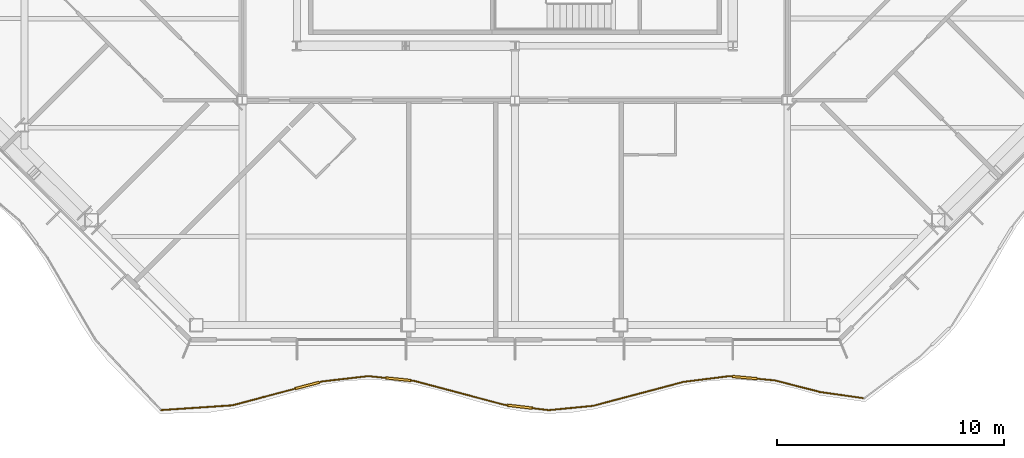
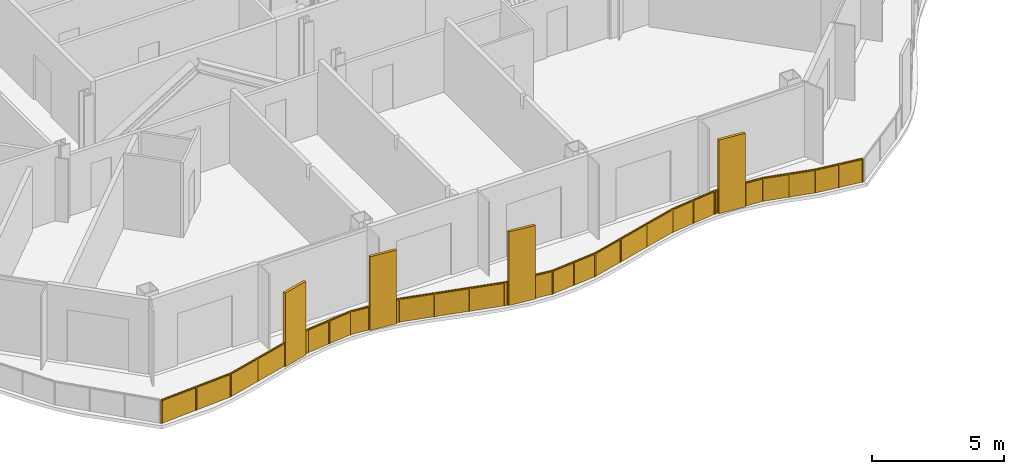
# One storey, part 16 of 21: 1 railing.
"""IFC4 building model written with IfcOpenShell, lengths in metres."""

from ifc_helpers import new_model, si_unit, direction, frame, origin, origin_2d, place, context, subcontext, project, spatial, polyline, rectangle, outline, extrude, material, type_object, element, save


model = new_model("IFC4")

# Units and contexts
model_context = context("Model", 3, precision=1e-05, world=origin(), true_north=direction((0.0, 1.0)))
body_context = subcontext(model_context, "Body", "Model", "MODEL_VIEW")
ifc_project = project(units=[si_unit("LENGTHUNIT", "METRE"), si_unit("AREAUNIT", "SQUARE_METRE"), si_unit("VOLUMEUNIT", "CUBIC_METRE"), si_unit("PLANEANGLEUNIT", "RADIAN"), si_unit("MASSUNIT", "GRAM", prefix="KILO")], contexts=[model_context])

# Site, building, storey
site_placement = place(None, origin())
site = spatial("IfcSite", under=ifc_project, at=site_placement, CompositionType="ELEMENT")
building_placement = place(site_placement, origin())
building = spatial("IfcBuilding", under=site, at=building_placement, Name="Cairn Pilgrim Tower", CompositionType="ELEMENT")
storey_placement = place(building_placement, frame((0.0, 0.0, 168.60009765625)))
storey = spatial("IfcBuildingStorey", under=building, at=storey_placement, Name="L42", CompositionType="ELEMENT", Elevation=168.60009765625)

# Railing
ifc_material = material(Name="Bronze anodised aluminium rail, posts and fin screens with laminated glass infill", Category="aluminium")
railing_type = type_object("IfcRailingType", Name="BALCONY GUARD WITH FIN SCREENS", PredefinedType="GUARDRAIL", material=ifc_material)
railing_placement = place(storey_placement, frame((-8.3818359375, -22.045654296875, 0.0)))
element("IfcRailing", 1, at=railing_placement, inside=storey, type_object=railing_type, Name="Balcony guard BGF-1 with fin screens", PredefinedType="GUARDRAIL", context=body_context, shape_type="SweptSolid", body=[
    extrude(rectangle(XDim=0.050048828125, YDim=0.050048828125, at=origin_2d()), frame((0.0, 0.0, 1.0751953125), z_axis=(0.997751083555, 0.067028167698, 0.0), x_axis=(-0.067028167698, 0.997751083555, 0.0)), (0.0, 0.0, 1.0), 3.150634765625),
    extrude(rectangle(XDim=1.10009765625, YDim=0.110107421875, at=origin_2d()), frame((6.435791015625, 1.08544921875, 0.0), z_axis=(0.0, 0.0, 1.0), x_axis=(0.966503793648, 0.256652326824, 0.0)), (0.0, 0.0, 1.0), 3.39990234375),
    extrude(rectangle(XDim=0.050048828125, YDim=0.050048828125, at=origin_2d()), frame((3.1435546875, 0.211181640625, 1.0751953125), z_axis=(0.966503793648, 0.256652326824, 0.0), x_axis=(-0.256652326824, 0.966503793648, 0.0)), (0.0, 0.0, 1.0), 2.8564453125),
    extrude(rectangle(XDim=0.050048828125, YDim=0.050048828125, at=origin_2d()), frame((6.96728515625, 1.2265625, 1.0751953125), z_axis=(0.966503793648, 0.256652326824, 0.0), x_axis=(-0.256652326824, 0.966503793648, 0.0)), (0.0, 0.0, 1.0), 0.150146484375),
    extrude(rectangle(XDim=0.050048828125, YDim=0.050048828125, at=origin_2d()), frame((7.112548828125, 1.26513671875, 1.0751953125), z_axis=(0.993470001104, 0.114093632191, 0.0), x_axis=(-0.114093632191, 0.993470001104, 0.0)), (0.0, 0.0, 1.0), 2.0263671875),
    extrude(rectangle(XDim=1.10009765625, YDim=0.110107421875, at=origin_2d()), frame((10.443603515625, 1.360107421875, 0.0), z_axis=(0.0, 0.0, 1.0), x_axis=(0.994697324396, -0.102845674874, 0.0)), (0.0, 0.0, 1.0), 3.39990234375),
    extrude(rectangle(XDim=0.050048828125, YDim=0.050048828125, at=origin_2d()), frame((9.125732421875, 1.496337890625, 1.0751953125), z_axis=(0.994697324396, -0.102845674874, 0.0), x_axis=(0.102845674874, 0.994697324396, 0.0)), (0.0, 0.0, 1.0), 0.77490234375),
    extrude(rectangle(XDim=0.050048828125, YDim=0.050048828125, at=origin_2d()), frame((10.99072265625, 1.303466796875, 1.0751953125), z_axis=(0.994697324396, -0.102845674874, 0.0), x_axis=(0.102845674874, 0.994697324396, 0.0)), (0.0, 0.0, 1.0), 0.14990234375),
    extrude(rectangle(XDim=0.050048828125, YDim=0.050048828125, at=origin_2d()), frame((11.139892578125, 1.2880859375, 1.0751953125), z_axis=(0.96653391674, -0.256538862148, 0.0), x_axis=(0.256538862148, 0.96653391674, 0.0)), (0.0, 0.0, 1.0), 4.111328125),
    extrude(rectangle(XDim=1.10009765625, YDim=0.110107421875, at=origin_2d()), frame((15.80859375, 0.149658203125, 0.0), z_axis=(0.0, 0.0, 1.0), x_axis=(0.992821718056, -0.119603662808, 0.0)), (0.0, 0.0, 1.0), 3.39990234375),
    extrude(rectangle(XDim=0.050048828125, YDim=0.050048828125, at=origin_2d()), frame((15.113525390625, 0.2333984375, 1.0751953125), z_axis=(0.992821718056, -0.119603662808, 0.0), x_axis=(0.119603662808, 0.992821718056, 0.0)), (0.0, 0.0, 1.0), 0.14990234375),
    extrude(rectangle(XDim=0.050048828125, YDim=0.050048828125, at=origin_2d()), frame((16.3544921875, 0.083984375, 1.0751953125), z_axis=(0.992821718056, -0.119603662808, 0.0), x_axis=(0.119603662808, 0.992821718056, 0.0)), (0.0, 0.0, 1.0), 0.723876953125),
    extrude(rectangle(XDim=0.050048828125, YDim=0.050048828125, at=origin_2d()), frame((17.0732421875, -0.002685546875, 1.0751953125), z_axis=(0.995278728764, 0.097057983027, 0.0), x_axis=(-0.097057983027, 0.995278728764, 0.0)), (0.0, 0.0, 1.0), 1.967041015625),
    extrude(rectangle(XDim=0.050048828125, YDim=0.050048828125, at=origin_2d()), frame((19.031005859375, 0.188232421875, 1.0751953125), z_axis=(0.96660093121, 0.256286245796, 0.0), x_axis=(-0.256286245796, 0.96660093121, 0.0)), (0.0, 0.0, 1.0), 4.107666015625),
    extrude(rectangle(XDim=0.050048828125, YDim=0.050048828125, at=origin_2d()), frame((23.00146484375, 1.240966796875, 1.0751953125), z_axis=(0.992132753517, 0.12519025281, 0.0), x_axis=(-0.12519025281, 0.992132753517, 0.0)), (0.0, 0.0, 1.0), 2.028076171875),
    extrude(rectangle(XDim=1.10009765625, YDim=0.110107421875, at=origin_2d()), frame((25.710693359375, 1.430908203125, 0.0), z_axis=(0.0, 0.0, 1.0), x_axis=(0.995828652228, -0.091243056731, 0.0)), (0.0, 0.0, 1.0), 3.39990234375),
    extrude(rectangle(XDim=0.050048828125, YDim=0.050048828125, at=origin_2d()), frame((25.013671875, 1.494873046875, 1.0751953125), z_axis=(0.995828652228, -0.091243056731, 0.0), x_axis=(0.091243056731, 0.995828652228, 0.0)), (0.0, 0.0, 1.0), 0.150146484375),
    extrude(rectangle(XDim=0.050048828125, YDim=0.050048828125, at=origin_2d()), frame((26.258544921875, 1.380859375, 1.0751953125), z_axis=(0.995828652228, -0.091243056731, 0.0), x_axis=(0.091243056731, 0.995828652228, 0.0)), (0.0, 0.0, 1.0), 0.772705078125),
    extrude(rectangle(XDim=0.050048828125, YDim=0.050048828125, at=origin_2d()), frame((27.028076171875, 1.310302734375, 1.0751953125), z_axis=(0.968635268519, -0.248486853941, 0.0), x_axis=(0.248486853941, 0.968635268519, 0.0)), (0.0, 0.0, 1.0), 2.054443359375),
    extrude(rectangle(XDim=0.050048828125, YDim=0.050048828125, at=origin_2d()), frame((29.01806640625, 0.7998046875, 1.0751953125), z_axis=(0.989952048215, -0.141403473209, 0.0), x_axis=(0.141403473209, 0.989952048215, 0.0)), (0.0, 0.0, 1.0), 1.911376953125),
    extrude(rectangle(XDim=0.050048828125, YDim=0.050048828125, at=origin_2d()), origin(), (0.0, 0.0, 1.0), 1.050048828125),
    extrude(rectangle(XDim=0.050048828125, YDim=0.050048828125, at=origin_2d()), frame((1.57177734375, 0.10546875, 0.0)), (0.0, 0.0, 1.0), 1.050048828125),
    extrude(rectangle(XDim=0.050048828125, YDim=0.050048828125, at=origin_2d()), frame((3.1435546875, 0.211181640625, 0.0)), (0.0, 0.0, 1.0), 1.050048828125),
    extrude(rectangle(XDim=0.050048828125, YDim=0.050048828125, at=origin_2d()), frame((4.51171875, 0.574462890625, 0.0)), (0.0, 0.0, 1.0), 1.050048828125),
    extrude(rectangle(XDim=0.050048828125, YDim=0.050048828125, at=origin_2d()), frame((5.880126953125, 0.937744140625, 0.0)), (0.0, 0.0, 1.0), 1.050048828125),
    extrude(rectangle(XDim=0.050048828125, YDim=0.050048828125, at=origin_2d()), frame((6.99169921875, 1.23291015625, 0.0)), (0.0, 0.0, 1.0), 1.050048828125),
    extrude(rectangle(XDim=0.050048828125, YDim=0.050048828125, at=origin_2d()), frame((7.112548828125, 1.26513671875, 0.0)), (0.0, 0.0, 1.0), 1.050048828125),
    extrude(rectangle(XDim=0.050048828125, YDim=0.050048828125, at=origin_2d()), frame((8.119140625, 1.380859375, 0.0)), (0.0, 0.0, 1.0), 1.050048828125),
    extrude(rectangle(XDim=0.050048828125, YDim=0.050048828125, at=origin_2d()), frame((9.125732421875, 1.496337890625, 0.0)), (0.0, 0.0, 1.0), 1.050048828125),
    extrude(rectangle(XDim=0.050048828125, YDim=0.050048828125, at=origin_2d()), frame((9.87158203125, 1.419189453125, 0.0)), (0.0, 0.0, 1.0), 1.050048828125),
    extrude(rectangle(XDim=0.050048828125, YDim=0.050048828125, at=origin_2d()), frame((11.015625, 1.301025390625, 0.0)), (0.0, 0.0, 1.0), 1.050048828125),
    extrude(rectangle(XDim=0.050048828125, YDim=0.050048828125, at=origin_2d()), frame((11.139892578125, 1.2880859375, 0.0)), (0.0, 0.0, 1.0), 1.050048828125),
    extrude(rectangle(XDim=0.050048828125, YDim=0.050048828125, at=origin_2d()), frame((12.46435546875, 0.9365234375, 0.0)), (0.0, 0.0, 1.0), 1.050048828125),
    extrude(rectangle(XDim=0.050048828125, YDim=0.050048828125, at=origin_2d()), frame((13.7890625, 0.5849609375, 0.0)), (0.0, 0.0, 1.0), 1.050048828125),
    extrude(rectangle(XDim=0.050048828125, YDim=0.050048828125, at=origin_2d()), frame((15.113525390625, 0.2333984375, 0.0)), (0.0, 0.0, 1.0), 1.050048828125),
    extrude(rectangle(XDim=0.050048828125, YDim=0.050048828125, at=origin_2d()), frame((15.237548828125, 0.218505859375, 0.0)), (0.0, 0.0, 1.0), 1.050048828125),
    extrude(rectangle(XDim=0.050048828125, YDim=0.050048828125, at=origin_2d()), frame((16.37939453125, 0.080810546875, 0.0)), (0.0, 0.0, 1.0), 1.050048828125),
    extrude(rectangle(XDim=0.050048828125, YDim=0.050048828125, at=origin_2d()), frame((17.0732421875, -0.002685546875, 0.0)), (0.0, 0.0, 1.0), 1.050048828125),
    extrude(rectangle(XDim=0.050048828125, YDim=0.050048828125, at=origin_2d()), frame((18.05224609375, 0.0927734375, 0.0)), (0.0, 0.0, 1.0), 1.050048828125),
    extrude(rectangle(XDim=0.050048828125, YDim=0.050048828125, at=origin_2d()), frame((19.031005859375, 0.188232421875, 0.0)), (0.0, 0.0, 1.0), 1.050048828125),
    extrude(rectangle(XDim=0.050048828125, YDim=0.050048828125, at=origin_2d()), frame((20.3544921875, 0.5390625, 0.0)), (0.0, 0.0, 1.0), 1.050048828125),
    extrude(rectangle(XDim=0.050048828125, YDim=0.050048828125, at=origin_2d()), frame((21.677978515625, 0.89013671875, 0.0)), (0.0, 0.0, 1.0), 1.050048828125),
    extrude(rectangle(XDim=0.050048828125, YDim=0.050048828125, at=origin_2d()), frame((23.00146484375, 1.240966796875, 0.0)), (0.0, 0.0, 1.0), 1.050048828125),
    extrude(rectangle(XDim=0.050048828125, YDim=0.050048828125, at=origin_2d()), frame((24.007568359375, 1.367919921875, 0.0)), (0.0, 0.0, 1.0), 1.050048828125),
    extrude(rectangle(XDim=0.050048828125, YDim=0.050048828125, at=origin_2d()), frame((25.013671875, 1.494873046875, 0.0)), (0.0, 0.0, 1.0), 1.050048828125),
    extrude(rectangle(XDim=0.050048828125, YDim=0.050048828125, at=origin_2d()), frame((25.13818359375, 1.4833984375, 0.0)), (0.0, 0.0, 1.0), 1.050048828125),
    extrude(rectangle(XDim=0.050048828125, YDim=0.050048828125, at=origin_2d()), frame((26.283447265625, 1.37841796875, 0.0)), (0.0, 0.0, 1.0), 1.050048828125),
    extrude(rectangle(XDim=0.050048828125, YDim=0.050048828125, at=origin_2d()), frame((27.028076171875, 1.310302734375, 0.0)), (0.0, 0.0, 1.0), 1.050048828125),
    extrude(rectangle(XDim=0.050048828125, YDim=0.050048828125, at=origin_2d()), frame((28.02294921875, 1.05517578125, 0.0)), (0.0, 0.0, 1.0), 1.050048828125),
    extrude(rectangle(XDim=0.050048828125, YDim=0.050048828125, at=origin_2d()), frame((29.01806640625, 0.7998046875, 0.0)), (0.0, 0.0, 1.0), 1.050048828125),
    extrude(rectangle(XDim=0.050048828125, YDim=0.050048828125, at=origin_2d()), frame((29.964111328125, 0.66455078125, 0.0)), (0.0, 0.0, 1.0), 1.050048828125),
    extrude(rectangle(XDim=0.050048828125, YDim=0.050048828125, at=origin_2d()), frame((30.91015625, 0.529541015625, 0.0)), (0.0, 0.0, 1.0), 1.050048828125),
    extrude(outline(polyline([(0.02490234375, 0.0), (1.55029296875, 0.0), (1.55029296875, 1.050048828125), (0.02490234375, 1.050048828125), (0.02490234375, 0.0)])), frame((-0.00048828125, 0.005859375, 0.0), z_axis=(0.067028167698, -0.997751083555, 0.0), x_axis=(0.997751083555, 0.067028167698, 0.0)), (0.0, 0.0, 1.0), 0.011962890625),
    extrude(outline(polyline([(0.02490234375, 0.0), (1.55029296875, 0.0), (1.55029296875, 1.050048828125), (0.02490234375, 1.050048828125), (0.02490234375, 0.0)])), frame((1.5712890625, 0.111572265625, 0.0), z_axis=(0.067028167698, -0.997751083555, 0.0), x_axis=(0.997751083555, 0.067028167698, 0.0)), (0.0, 0.0, 1.0), 0.011962890625),
    extrude(outline(polyline([(0.02490234375, 0.0), (1.390625, 0.0), (1.390625, 1.050048828125), (0.02490234375, 1.050048828125), (0.02490234375, 0.0)])), frame((3.14208984375, 0.217041015625, 0.0), z_axis=(0.256652326824, -0.966503793648, 0.0), x_axis=(0.966503793648, 0.256652326824, 0.0)), (0.0, 0.0, 1.0), 0.011962890625),
    extrude(outline(polyline([(0.02490234375, 0.0), (1.390625, 0.0), (1.390625, 1.050048828125), (0.02490234375, 1.050048828125), (0.02490234375, 0.0)])), frame((4.51025390625, 0.580322265625, 0.0), z_axis=(0.256652326824, -0.966503793648, 0.0), x_axis=(0.966503793648, 0.256652326824, 0.0)), (0.0, 0.0, 1.0), 0.011962890625),
    extrude(outline(polyline([(0.02490234375, 0.0), (0.10009765625, 0.0), (0.10009765625, 1.050048828125), (0.02490234375, 1.050048828125), (0.02490234375, 0.0)])), frame((6.989990234375, 1.23876953125, 0.0), z_axis=(0.256652326824, -0.966503793648, 0.0), x_axis=(0.966503793648, 0.256652326824, 0.0)), (0.0, 0.0, 1.0), 0.011962890625),
    extrude(outline(polyline([(0.02490234375, 0.0), (0.98828125, 0.0), (0.98828125, 1.050048828125), (0.02490234375, 1.050048828125), (0.02490234375, 0.0)])), frame((7.11181640625, 1.27099609375, 0.0), z_axis=(0.114093632191, -0.993470001104, 0.0), x_axis=(0.993470001104, 0.114093632191, 0.0)), (0.0, 0.0, 1.0), 0.011962890625),
    extrude(outline(polyline([(0.02490234375, 0.0), (0.98828125, 0.0), (0.98828125, 1.050048828125), (0.02490234375, 1.050048828125), (0.02490234375, 0.0)])), frame((8.118408203125, 1.38671875, 0.0), z_axis=(0.114093632191, -0.993470001104, 0.0), x_axis=(0.993470001104, 0.114093632191, 0.0)), (0.0, 0.0, 1.0), 0.011962890625),
    extrude(outline(polyline([(0.02490234375, 0.0), (0.724853515625, 0.0), (0.724853515625, 1.050048828125), (0.02490234375, 1.050048828125), (0.02490234375, 0.0)])), frame((9.12646484375, 1.502197265625, 0.0), z_axis=(-0.102845674874, -0.994697324396, 0.0), x_axis=(0.994697324396, -0.102845674874, 0.0)), (0.0, 0.0, 1.0), 0.011962890625),
    extrude(outline(polyline([(0.02490234375, 0.0), (0.099853515625, 0.0), (0.099853515625, 1.050048828125), (0.02490234375, 1.050048828125), (0.02490234375, 0.0)])), frame((11.01611328125, 1.306884765625, 0.0), z_axis=(-0.102845674874, -0.994697324396, 0.0), x_axis=(0.994697324396, -0.102845674874, 0.0)), (0.0, 0.0, 1.0), 0.011962890625),
    extrude(outline(polyline([(0.02490234375, 0.0), (1.345458984375, 0.0), (1.345458984375, 1.050048828125), (0.02490234375, 1.050048828125), (0.02490234375, 0.0)])), frame((11.141357421875, 1.2939453125, 0.0), z_axis=(-0.256538862148, -0.96653391674, 0.0), x_axis=(0.96653391674, -0.256538862148, 0.0)), (0.0, 0.0, 1.0), 0.011962890625),
    extrude(outline(polyline([(0.02490234375, 0.0), (1.345458984375, 0.0), (1.345458984375, 1.050048828125), (0.02490234375, 1.050048828125), (0.02490234375, 0.0)])), frame((12.466064453125, 0.9423828125, 0.0), z_axis=(-0.256538862148, -0.96653391674, 0.0), x_axis=(0.96653391674, -0.256538862148, 0.0)), (0.0, 0.0, 1.0), 0.011962890625),
    extrude(outline(polyline([(0.02490234375, 0.0), (1.345458984375, 0.0), (1.345458984375, 1.050048828125), (0.02490234375, 1.050048828125), (0.02490234375, 0.0)])), frame((13.79052734375, 0.5908203125, 0.0), z_axis=(-0.256538862148, -0.96653391674, 0.0), x_axis=(0.96653391674, -0.256538862148, 0.0)), (0.0, 0.0, 1.0), 0.011962890625),
    extrude(outline(polyline([(0.02490234375, 0.0), (0.099853515625, 0.0), (0.099853515625, 1.050048828125), (0.02490234375, 1.050048828125), (0.02490234375, 0.0)])), frame((15.1142578125, 0.2392578125, 0.0), z_axis=(-0.119603662808, -0.992821718056, 0.0), x_axis=(0.992821718056, -0.119603662808, 0.0)), (0.0, 0.0, 1.0), 0.011962890625),
    extrude(outline(polyline([(0.02490234375, 0.0), (0.673828125, 0.0), (0.673828125, 1.050048828125), (0.02490234375, 1.050048828125), (0.02490234375, 0.0)])), frame((16.380126953125, 0.0869140625, 0.0), z_axis=(-0.119603662808, -0.992821718056, 0.0), x_axis=(0.992821718056, -0.119603662808, 0.0)), (0.0, 0.0, 1.0), 0.011962890625),
    extrude(outline(polyline([(0.02490234375, 0.0), (0.95849609375, 0.0), (0.95849609375, 1.050048828125), (0.02490234375, 1.050048828125), (0.02490234375, 0.0)])), frame((17.07275390625, 0.003173828125, 0.0), z_axis=(0.097057983027, -0.995278728764, 0.0), x_axis=(0.995278728764, 0.097057983027, 0.0)), (0.0, 0.0, 1.0), 0.011962890625),
    extrude(outline(polyline([(0.02490234375, 0.0), (0.95849609375, 0.0), (0.95849609375, 1.050048828125), (0.02490234375, 1.050048828125), (0.02490234375, 0.0)])), frame((18.051513671875, 0.0986328125, 0.0), z_axis=(0.097057983027, -0.995278728764, 0.0), x_axis=(0.995278728764, 0.097057983027, 0.0)), (0.0, 0.0, 1.0), 0.011962890625),
    extrude(outline(polyline([(0.02490234375, 0.0), (1.34423828125, 0.0), (1.34423828125, 1.050048828125), (0.02490234375, 1.050048828125), (0.02490234375, 0.0)])), frame((19.029541015625, 0.194091796875, 0.0), z_axis=(0.256286245796, -0.96660093121, 0.0), x_axis=(0.96660093121, 0.256286245796, 0.0)), (0.0, 0.0, 1.0), 0.011962890625),
    extrude(outline(polyline([(0.02490234375, 0.0), (1.34423828125, 0.0), (1.34423828125, 1.050048828125), (0.02490234375, 1.050048828125), (0.02490234375, 0.0)])), frame((20.35302734375, 0.544921875, 0.0), z_axis=(0.256286245796, -0.96660093121, 0.0), x_axis=(0.96660093121, 0.256286245796, 0.0)), (0.0, 0.0, 1.0), 0.011962890625),
    extrude(outline(polyline([(0.02490234375, 0.0), (1.34423828125, 0.0), (1.34423828125, 1.050048828125), (0.02490234375, 1.050048828125), (0.02490234375, 0.0)])), frame((21.676513671875, 0.895751953125, 0.0), z_axis=(0.256286245796, -0.96660093121, 0.0), x_axis=(0.96660093121, 0.256286245796, 0.0)), (0.0, 0.0, 1.0), 0.011962890625),
    extrude(outline(polyline([(0.02490234375, 0.0), (0.989013671875, 0.0), (0.989013671875, 1.050048828125), (0.02490234375, 1.050048828125), (0.02490234375, 0.0)])), frame((23.000732421875, 1.246826171875, 0.0), z_axis=(0.12519025281, -0.992132753517, 0.0), x_axis=(0.992132753517, 0.12519025281, 0.0)), (0.0, 0.0, 1.0), 0.011962890625),
    extrude(outline(polyline([(0.02490234375, 0.0), (0.989013671875, 0.0), (0.989013671875, 1.050048828125), (0.02490234375, 1.050048828125), (0.02490234375, 0.0)])), frame((24.0068359375, 1.373779296875, 0.0), z_axis=(0.12519025281, -0.992132753517, 0.0), x_axis=(0.992132753517, 0.12519025281, 0.0)), (0.0, 0.0, 1.0), 0.011962890625),
    extrude(outline(polyline([(0.02490234375, 0.0), (0.10009765625, 0.0), (0.10009765625, 1.050048828125), (0.02490234375, 1.050048828125), (0.02490234375, 0.0)])), frame((25.01416015625, 1.500732421875, 0.0), z_axis=(-0.091243056731, -0.995828652228, 0.0), x_axis=(0.995828652228, -0.091243056731, 0.0)), (0.0, 0.0, 1.0), 0.011962890625),
    extrude(outline(polyline([(0.02490234375, 0.0), (0.72265625, 0.0), (0.72265625, 1.050048828125), (0.02490234375, 1.050048828125), (0.02490234375, 0.0)])), frame((26.283935546875, 1.384521484375, 0.0), z_axis=(-0.091243056731, -0.995828652228, 0.0), x_axis=(0.995828652228, -0.091243056731, 0.0)), (0.0, 0.0, 1.0), 0.011962890625),
    extrude(outline(polyline([(0.02490234375, 0.0), (1.002197265625, 0.0), (1.002197265625, 1.050048828125), (0.02490234375, 1.050048828125), (0.02490234375, 0.0)])), frame((27.029541015625, 1.316162109375, 0.0), z_axis=(-0.248486853941, -0.968635268519, 0.0), x_axis=(0.968635268519, -0.248486853941, 0.0)), (0.0, 0.0, 1.0), 0.011962890625),
    extrude(outline(polyline([(0.02490234375, 0.0), (1.002197265625, 0.0), (1.002197265625, 1.050048828125), (0.02490234375, 1.050048828125), (0.02490234375, 0.0)])), frame((28.024658203125, 1.060791015625, 0.0), z_axis=(-0.248486853941, -0.968635268519, 0.0), x_axis=(0.968635268519, -0.248486853941, 0.0)), (0.0, 0.0, 1.0), 0.011962890625),
    extrude(outline(polyline([(0.02490234375, 0.0), (0.9306640625, 0.0), (0.9306640625, 1.050048828125), (0.02490234375, 1.050048828125), (0.02490234375, 0.0)])), frame((29.018798828125, 0.8056640625, 0.0), z_axis=(-0.141403473209, -0.989952048215, 0.0), x_axis=(0.989952048215, -0.141403473209, 0.0)), (0.0, 0.0, 1.0), 0.011962890625),
    extrude(outline(polyline([(0.02490234375, 0.0), (0.9306640625, 0.0), (0.9306640625, 1.050048828125), (0.02490234375, 1.050048828125), (0.02490234375, 0.0)])), frame((29.96484375, 0.670654296875, 0.0), z_axis=(-0.141403473209, -0.989952048215, 0.0), x_axis=(0.989952048215, -0.141403473209, 0.0)), (0.0, 0.0, 1.0), 0.011962890625),
])

save(model, "model.ifc")
